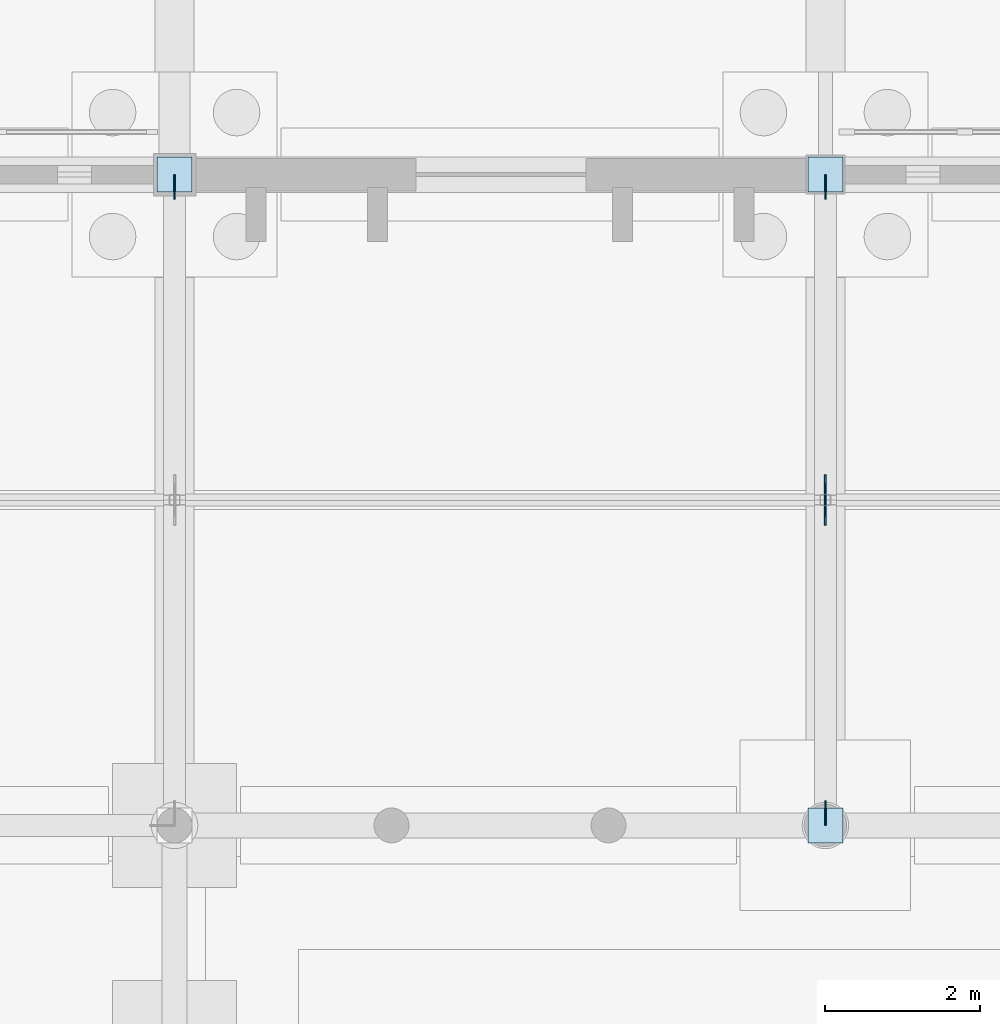
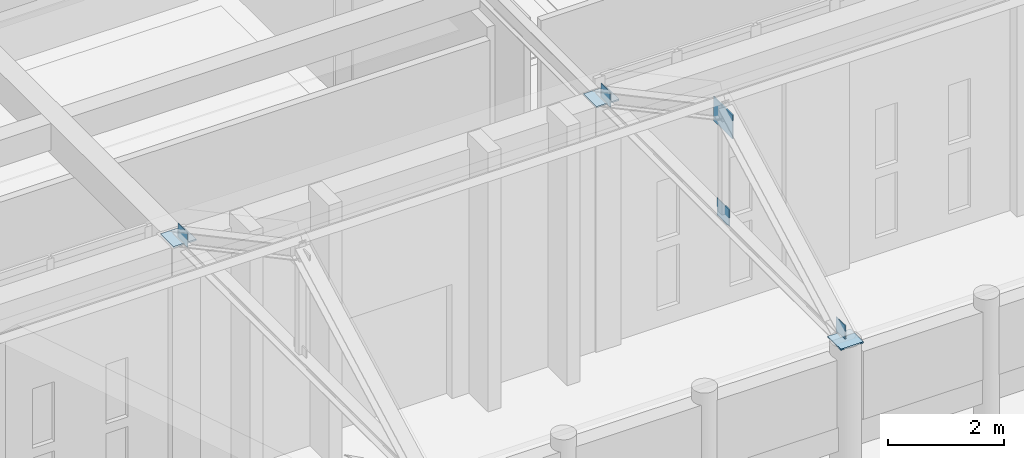
# One storey, part 103 of 143: 8 plates.
"""IFC4 building model written with IfcOpenShell, lengths in metres."""

from ifc_helpers import new_model, si_unit, direction, frame, origin, origin_2d, place, context, subcontext, project, spatial, rectangle, extrude, material, layer, layer_set, type_object, element, save


model = new_model("IFC4")

# Units and contexts
model_context = context("Model", 3, precision=1e-05, world=origin(), true_north=direction((0.0, 1.0)))
body_context = subcontext(model_context, "Body", "Model", "MODEL_VIEW")
ifc_project = project(units=[si_unit("LENGTHUNIT", "METRE"), si_unit("AREAUNIT", "SQUARE_METRE"), si_unit("VOLUMEUNIT", "CUBIC_METRE"), si_unit("PLANEANGLEUNIT", "RADIAN"), si_unit("MASSUNIT", "GRAM", prefix="KILO")], contexts=[model_context])

# Site, building, storey
site_placement = place(None, origin())
site = spatial("IfcSite", under=ifc_project, at=site_placement, CompositionType="ELEMENT")
building_placement = place(site_placement, origin())
building = spatial("IfcBuilding", under=site, at=building_placement, Name="Kveldsbrygga Polytechnic", CompositionType="ELEMENT")
storey_placement = place(building_placement, origin())
storey = spatial("IfcBuildingStorey", under=building, at=storey_placement, Name="L00", CompositionType="ELEMENT", Elevation=0.0)

# Plates
ifc_material = material(Name="Steel S355", Category="steel")
ifc_layer_1 = layer(ifc_material, 0.030029296875)
ifc_layer_set_1 = layer_set([ifc_layer_1], Name="Steel S355")
plate_type_1 = type_object("IfcPlateType", Name="CAP-BEAR-450", PredefinedType="SHEET", material=ifc_layer_set_1)
for number, where, z_axis, x_axis, name in (
    (1, (84.0, 84.0, 5.10986328125), (0.0, 0.0, 1.0), (1.0, 0.0, 0.0), "Truss Bearing Plate ARC-EN-T02-B"),
    (2, (92.39990234375, 75.60009765625, 5.10986328125), (0.0, 0.0, 1.0), (1.0, 0.0, 0.0), "Truss Bearing Plate ARC-EN-T03-A"),
    (3, (92.39990234375, 84.0, 5.10986328125), (0.0, 0.0, 1.0), (1.0, 0.0, 0.0), "Truss Bearing Plate ARC-EN-T03-B"),
):
    element("IfcPlate", number, at=place(storey_placement, frame(where, z_axis=z_axis, x_axis=x_axis)), inside=storey, type_object=plate_type_1, Name=name, PredefinedType="SHEET", context=body_context, shape_type="SweptSolid", body=[
        extrude(rectangle(XDim=0.449951171875, YDim=0.449951171875, at=origin_2d()), origin(), (0.0, 0.0, 1.0), 0.030029296875),
    ])
ifc_layer_2 = layer(ifc_material, 0.02490234375)
ifc_layer_set_2 = layer_set([ifc_layer_2], Name="Steel S355")
plate_type_2 = type_object("IfcPlateType", Name="GUS-APEX-650", PredefinedType="SHEET", material=ifc_layer_set_2)
plate_1_placement = place(storey_placement, frame((92.39990234375, 79.800048828125, 6.989990234375), z_axis=(0.0, 0.0, 1.0), x_axis=(1.0, 0.0, 0.0)))
element("IfcPlate", 4, at=plate_1_placement, inside=storey, type_object=plate_type_2, Name="Truss Gusset Plate ARC-EN-T03-GP-1", PredefinedType="SHEET", context=body_context, shape_type="SweptSolid", body=[
    extrude(rectangle(XDim=0.02490234375, YDim=0.64990234375, at=origin_2d()), origin(), (0.0, 0.0, 1.0), 0.5),
])
ifc_layer_3 = layer(ifc_material, 0.01806640625)
ifc_layer_set_3 = layer_set([ifc_layer_3], Name="Steel S355")
plate_type_3 = type_object("IfcPlateType", Name="GUS-BRACE-320", PredefinedType="SHEET", material=ifc_layer_set_3)
for number, where, z_axis, x_axis, name in (
    (5, (84.0, 83.840087890625, 5.10009765625), (0.0, 0.0, 1.0), (1.0, 0.0, 0.0), "Truss Eaves Node Gusset ARC-EN-T02-EGP-B"),
    (6, (92.39990234375, 75.760009765625, 5.10009765625), (0.0, 0.0, 1.0), (1.0, 0.0, 0.0), "Truss Eaves Node Gusset ARC-EN-T03-EGP-A"),
    (7, (92.39990234375, 83.840087890625, 5.10009765625), (0.0, 0.0, 1.0), (1.0, 0.0, 0.0), "Truss Eaves Node Gusset ARC-EN-T03-EGP-B"),
):
    element("IfcPlate", number, at=place(storey_placement, frame(where, z_axis=z_axis, x_axis=x_axis)), inside=storey, type_object=plate_type_3, Name=name, PredefinedType="SHEET", context=body_context, shape_type="SweptSolid", body=[
        extrude(rectangle(XDim=0.01806640625, YDim=0.320068359375, at=origin_2d()), origin(), (0.0, 0.0, 1.0), 0.320068359375),
    ])
ifc_layer_4 = layer(ifc_material, 0.02001953125)
ifc_layer_set_4 = layer_set([ifc_layer_4], Name="Steel S355")
plate_type_4 = type_object("IfcPlateType", Name="GUS-LECT-420", PredefinedType="SHEET", material=ifc_layer_set_4)
plate_2_placement = place(storey_placement, frame((92.39990234375, 79.800048828125, 5.0849609375), z_axis=(0.0, 0.0, 1.0), x_axis=(1.0, 0.0, 0.0)))
element("IfcPlate", 8, at=plate_2_placement, inside=storey, type_object=plate_type_4, Name="Truss Bottom-Chord Node Gusset ARC-EN-T03-BGP-1", PredefinedType="SHEET", context=body_context, shape_type="SweptSolid", body=[
    extrude(rectangle(XDim=0.02001953125, YDim=0.419921875, at=origin_2d()), origin(), (0.0, 0.0, 1.0), 0.35009765625),
])

save(model, "model.ifc")
